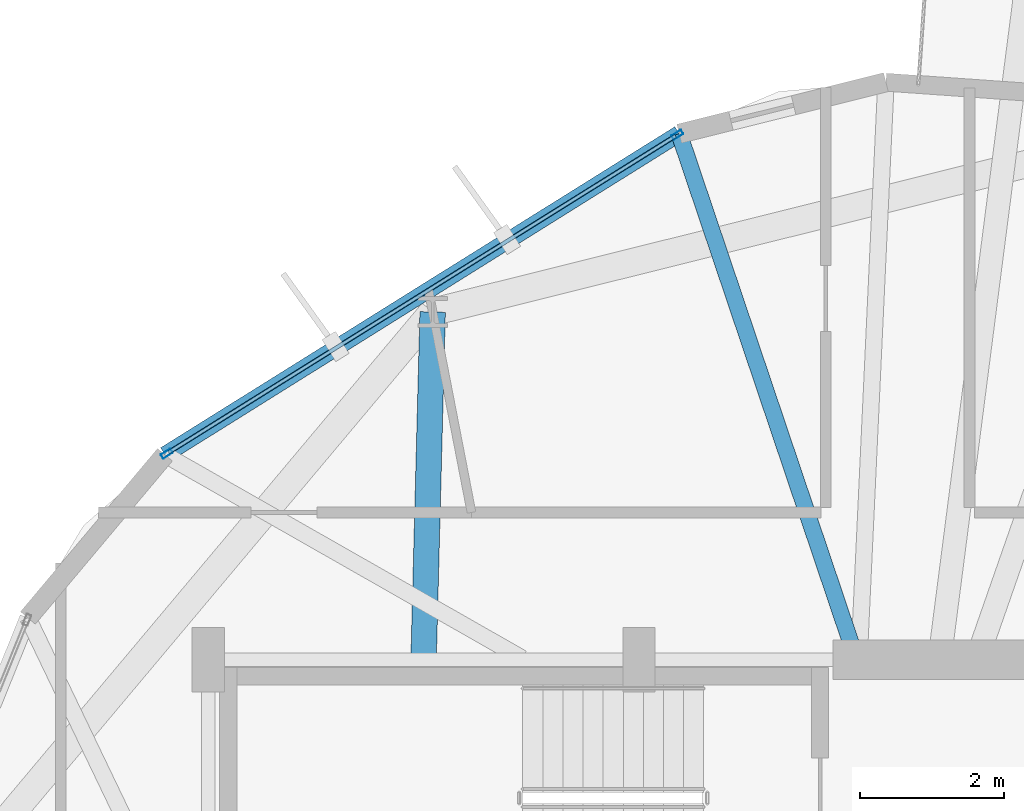
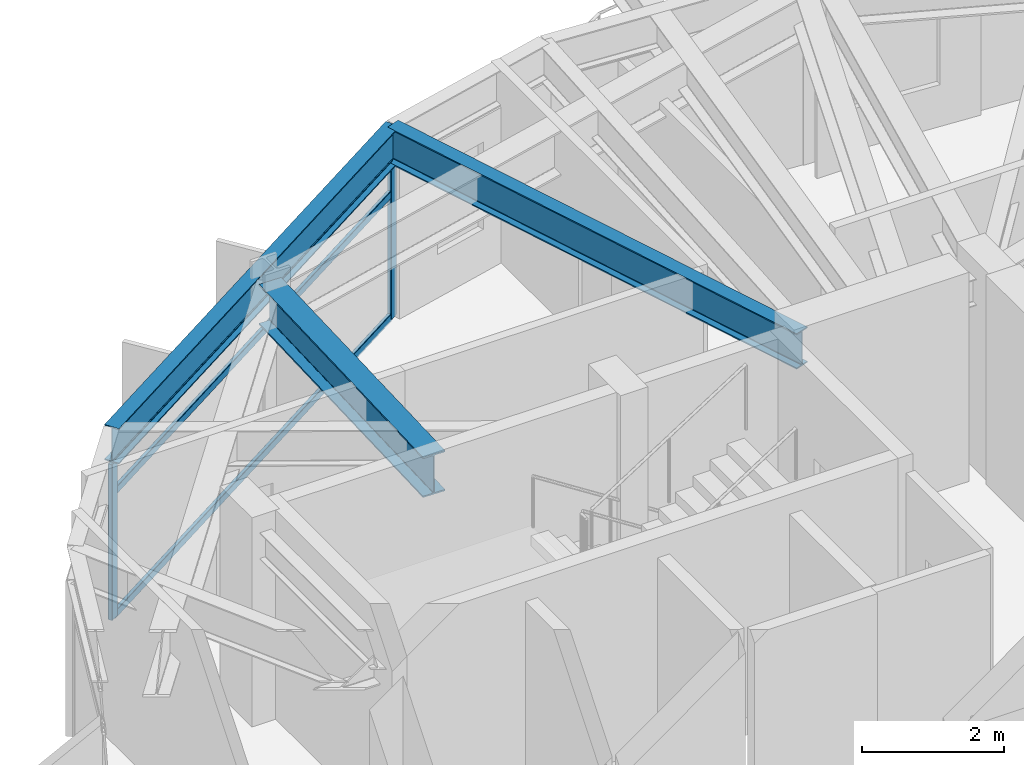
# One storey, part 12 of 22: 5 members, 3 beams, 1 element without a shape of its own.
"""IFC4 building model written with IfcOpenShell, lengths in metres."""

from ifc_helpers import new_model, si_unit, direction, frame, origin, origin_2d, place, context, subcontext, project, spatial, hollow_rectangle, i_section, extrude, material, layer, layer_set, material_profile, profile_set, type_object, element, aggregate, save


model = new_model("IFC4")

# Units and contexts
model_context = context("Model", 3, precision=1e-05, world=origin(), true_north=direction((0.0, 1.0)))
body_context = subcontext(model_context, "Body", "Model", "MODEL_VIEW")
ifc_project = project(units=[si_unit("LENGTHUNIT", "METRE"), si_unit("AREAUNIT", "SQUARE_METRE"), si_unit("VOLUMEUNIT", "CUBIC_METRE"), si_unit("PLANEANGLEUNIT", "RADIAN"), si_unit("MASSUNIT", "GRAM", prefix="KILO")], contexts=[model_context])

# Site, building, storey
site_placement = place(None, origin())
site = spatial("IfcSite", under=ifc_project, at=site_placement, CompositionType="ELEMENT")
building_placement = place(site_placement, origin())
building = spatial("IfcBuilding", under=site, at=building_placement, Name="Soratama Intermodal Tower", CompositionType="ELEMENT")
storey_placement = place(building_placement, frame((0.0, 0.0, 157.0)))
storey = spatial("IfcBuildingStorey", under=building, at=storey_placement, Name="L38", CompositionType="ELEMENT", Elevation=157.0)

# Beams
ifc_material_1 = material(Name="Structural steel ASTM A992 Grade 50", Category="steel")
ifc_material_profile_1 = material_profile(ifc_material_1, i_section(OverallWidth=0.35498046875, OverallDepth=0.695068359375, WebThickness=0.015380859375, FlangeThickness=0.02490234375, FilletRadius=0.01611328125, at=origin_2d()), Name="W27X146")
ifc_profile_set_1 = profile_set([ifc_material_profile_1], Name="Structural steel ASTM A992 Grade 50")
beam_type_1 = type_object("IfcBeamType", Name="BM-RING-W27X146", PredefinedType="BEAM", material=ifc_profile_set_1)
beam_1_placement = place(storey_placement, frame((35.60009765625, 35.0, 2.952392578125), z_axis=(0.026013685955, 0.99966158681, 0.0), x_axis=(-0.99966158681, 0.026013685955, 0.0)))
element("IfcBeam", 1, at=beam_1_placement, inside=storey, type_object=beam_type_1, Name="BM-L38-RAD-04", PredefinedType="BEAM", context=body_context, shape_type="SweptSolid", body=[
    extrude(i_section(OverallWidth=0.35498046875, OverallDepth=0.695068359375, WebThickness=0.015380859375, FlangeThickness=0.02490234375, FilletRadius=0.01611328125, at=origin_2d()), origin(), (0.0, 0.0, 1.0), 4.8427734375),
])
ifc_material_2 = material(Name="Structural steel ASTM A992 Grade 50", Category="steel")
ifc_material_profile_2 = material_profile(ifc_material_2, i_section(OverallWidth=0.22900390625, OverallDepth=0.612060546875, WebThickness=0.011962890625, FlangeThickness=0.01953125, FilletRadius=0.012939453125, at=origin_2d()), Name="W24X84")
ifc_profile_set_2 = profile_set([ifc_material_profile_2], Name="Structural steel ASTM A992 Grade 50")
beam_type_2 = type_object("IfcBeamType", Name="BM-SPN-W24X84", PredefinedType="SPANDREL", material=ifc_profile_set_2)
beam_2_placement = place(storey_placement, frame((39.157958984375, 42.323974609375, 2.993896484375), z_axis=(-0.848230614703, -0.529627061508, 0.0), x_axis=(0.529627061508, -0.848230614703, 0.0)))
element("IfcBeam", 2, at=beam_2_placement, inside=storey, type_object=beam_type_2, Name="BS-L38-F03", PredefinedType="SPANDREL", context=body_context, shape_type="SweptSolid", body=[
    extrude(i_section(OverallWidth=0.22900390625, OverallDepth=0.612060546875, WebThickness=0.011962890625, FlangeThickness=0.01953125, FilletRadius=0.012939453125, at=origin_2d()), origin(), (0.0, 0.0, 1.0), 8.43994140625),
])
ifc_material_3 = material(Name="Structural steel ASTM A992 Grade 50", Category="steel")
ifc_material_profile_3 = material_profile(ifc_material_3, i_section(OverallWidth=0.22900390625, OverallDepth=0.612060546875, WebThickness=0.011962890625, FlangeThickness=0.01953125, FilletRadius=0.012939453125, at=origin_2d()), Name="W24X84")
ifc_profile_set_3 = profile_set([ifc_material_profile_3], Name="Structural steel ASTM A992 Grade 50")
beam_type_3 = type_object("IfcBeamType", Name="BM-TIE-W24X84", PredefinedType="BEAM", material=ifc_profile_set_3)
beam_3_placement = place(storey_placement, frame((41.614990234375, 35.0380859375, 2.993896484375), z_axis=(-0.319550239169, 0.947569335008, 0.0), x_axis=(-0.947569335008, -0.319550239169, 0.0)))
element("IfcBeam", 3, at=beam_3_placement, inside=storey, type_object=beam_type_3, Name="BM-L38-TIE0-03", PredefinedType="BEAM", context=body_context, shape_type="SweptSolid", body=[
    extrude(i_section(OverallWidth=0.22900390625, OverallDepth=0.612060546875, WebThickness=0.011962890625, FlangeThickness=0.01953125, FilletRadius=0.012939453125, at=origin_2d()), origin(), (0.0, 0.0, 1.0), 7.68896484375),
])

# Curtain wall, members
ifc_material_4 = material(Name="Double-glazed aluminium curtain wall", Category="aluminium")
ifc_layer = layer(ifc_material_4, 0.159912109375)
ifc_layer_set = layer_set([ifc_layer], Name="Double-glazed aluminium curtain wall")
curtain_wall_type = type_object("IfcCurtainWallType", Name="CW-SYS-4", PredefinedType="NOTDEFINED", material=ifc_layer_set)
curtain_wall_placement = place(storey_placement, origin())
curtain_wall = element("IfcCurtainWall", 4, at=curtain_wall_placement, inside=storey, type_object=curtain_wall_type, Name="L38 Faceted Curtain Wall F03", PredefinedType="NOTDEFINED")
ifc_material_5 = material(Name="Anodised aluminium AA 6063-T6", Category="aluminium")
ifc_material_profile_4 = material_profile(ifc_material_5, hollow_rectangle(XDim=0.070068359375, YDim=0.159912109375, WallThickness=0.0048828125, InnerFilletRadius=0.0048828125, OuterFilletRadius=0.010009765625, at=origin_2d()), Name="CWM160X70X5")
ifc_profile_set_4 = profile_set([ifc_material_profile_4], Name="Anodised aluminium AA 6063-T6")
member_type_1 = type_object("IfcMemberType", Name="MT-CWM-4", PredefinedType="MULLION", material=ifc_profile_set_4)
member_1_placement = place(storey_placement, frame((39.133056640625, 42.30810546875, 0.0), z_axis=(0.0, 0.0, 1.0), x_axis=(0.529630411318, -0.848228523104, 0.0)))
member_1 = element("IfcMember", 5, at=member_1_placement, type_object=member_type_1, Name="CW-4 mullion 1", PredefinedType="MULLION", context=body_context, shape_type="SweptSolid", body=[
    extrude(hollow_rectangle(XDim=0.070068359375, YDim=0.159912109375, WallThickness=0.0048828125, InnerFilletRadius=0.0048828125, OuterFilletRadius=0.010009765625, at=origin_2d()), origin(), (0.0, 0.0, 1.0), 2.678955078125),
])
member_2_placement = place(storey_placement, frame((32.024658203125, 37.869384765625, 0.0), z_axis=(0.0, 0.0, 1.0), x_axis=(0.529630411318, -0.848228523104, 0.0)))
member_2 = element("IfcMember", 6, at=member_2_placement, type_object=member_type_1, Name="CW-4 mullion 2", PredefinedType="MULLION", context=body_context, shape_type="SweptSolid", body=[
    extrude(hollow_rectangle(XDim=0.070068359375, YDim=0.159912109375, WallThickness=0.0048828125, InnerFilletRadius=0.0048828125, OuterFilletRadius=0.010009765625, at=origin_2d()), origin(), (0.0, 0.0, 1.0), 2.678955078125),
])
ifc_material_6 = material(Name="Anodised aluminium AA 6063-T6", Category="aluminium")
ifc_material_profile_5 = material_profile(ifc_material_6, hollow_rectangle(XDim=0.06005859375, YDim=0.1298828125, WallThickness=0.0048828125, InnerFilletRadius=0.0048828125, OuterFilletRadius=0.010009765625, at=origin_2d()), Name="CWT130X60X5")
ifc_profile_set_5 = profile_set([ifc_material_profile_5], Name="Anodised aluminium AA 6063-T6")
member_type_2 = type_object("IfcMemberType", Name="TT-CWT-2", PredefinedType="USERDEFINED", material=ifc_profile_set_5)
member_3_placement = place(storey_placement, frame((39.107666015625, 42.292236328125, 0.030029296875), z_axis=(-0.848229006236, -0.529629637559, 0.0), x_axis=(0.529629637559, -0.848229006236, 0.0)))
member_3 = element("IfcMember", 7, at=member_3_placement, type_object=member_type_2, Name="CW-4 transom 1.1", ObjectType="TRANSOM", PredefinedType="USERDEFINED", context=body_context, shape_type="SweptSolid", body=[
    extrude(hollow_rectangle(XDim=0.06005859375, YDim=0.1298828125, WallThickness=0.0048828125, InnerFilletRadius=0.0048828125, OuterFilletRadius=0.010009765625, at=origin_2d()), origin(), (0.0, 0.0, 1.0), 8.3203125),
])
member_4_placement = place(storey_placement, frame((39.107666015625, 42.292236328125, 2.14990234375), z_axis=(-0.848229006236, -0.529629637559, 0.0), x_axis=(0.529629637559, -0.848229006236, 0.0)))
member_4 = element("IfcMember", 8, at=member_4_placement, type_object=member_type_2, Name="CW-4 transom 1.2", ObjectType="TRANSOM", PredefinedType="USERDEFINED", context=body_context, shape_type="SweptSolid", body=[
    extrude(hollow_rectangle(XDim=0.06005859375, YDim=0.1298828125, WallThickness=0.0048828125, InnerFilletRadius=0.0048828125, OuterFilletRadius=0.010009765625, at=origin_2d()), origin(), (0.0, 0.0, 1.0), 8.3203125),
])
member_5_placement = place(storey_placement, frame((39.107666015625, 42.292236328125, 2.64892578125), z_axis=(-0.848229006236, -0.529629637559, 0.0), x_axis=(0.529629637559, -0.848229006236, 0.0)))
member_5 = element("IfcMember", 9, at=member_5_placement, type_object=member_type_2, Name="CW-4 transom 1.3", ObjectType="TRANSOM", PredefinedType="USERDEFINED", context=body_context, shape_type="SweptSolid", body=[
    extrude(hollow_rectangle(XDim=0.06005859375, YDim=0.1298828125, WallThickness=0.0048828125, InnerFilletRadius=0.0048828125, OuterFilletRadius=0.010009765625, at=origin_2d()), origin(), (0.0, 0.0, 1.0), 8.3203125),
])
aggregate(curtain_wall, [member_1, member_2, member_3, member_4, member_5])

save(model, "model.ifc")
